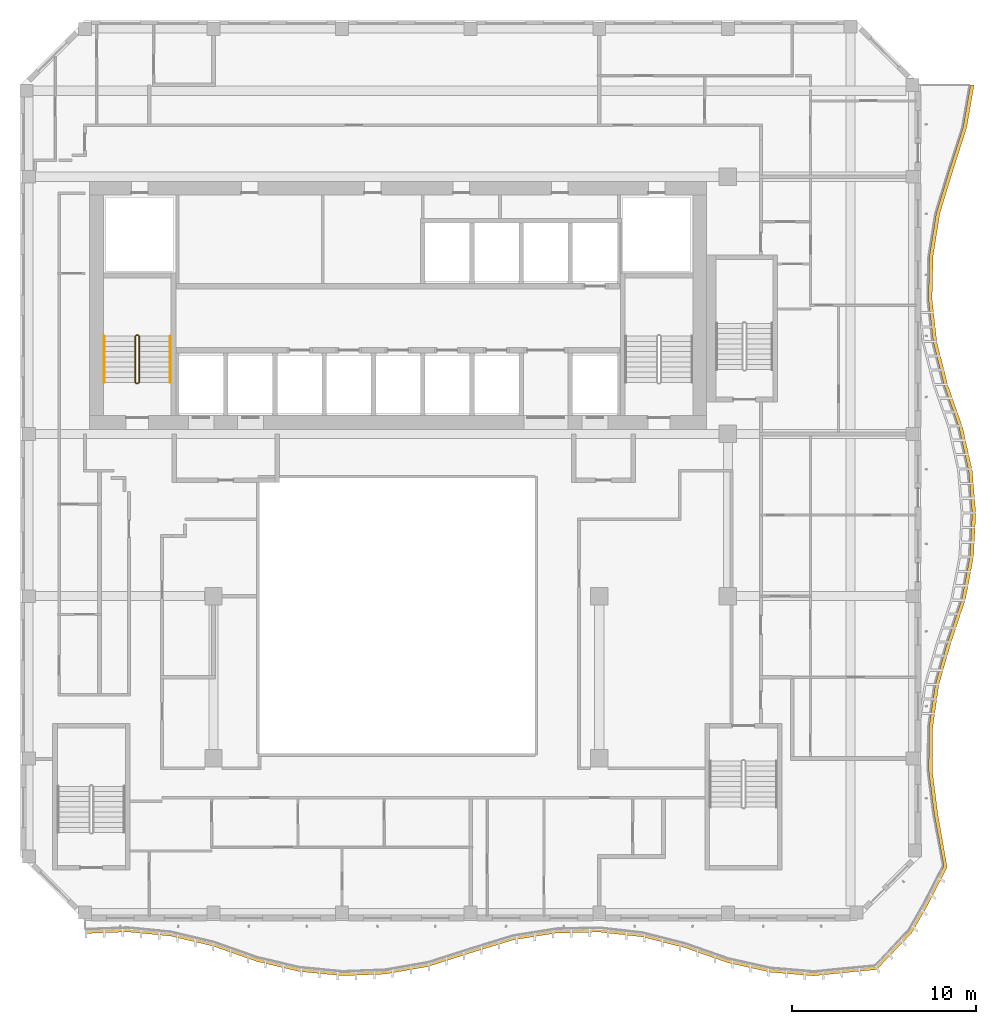
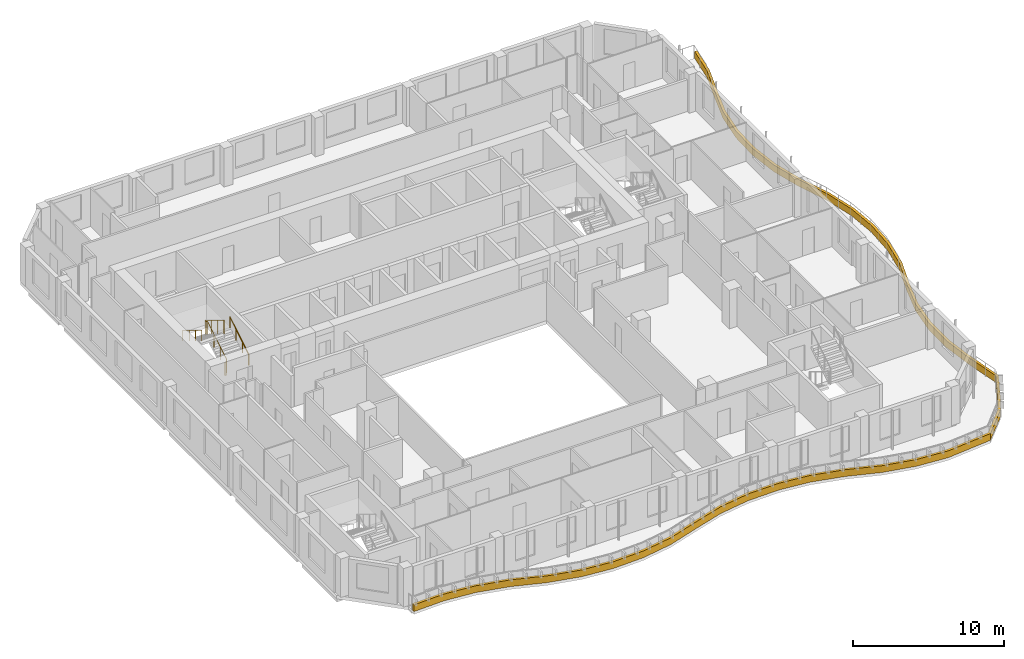
# One storey, part 16 of 20: 3 railings, 1 shading device.
"""IFC4 building model written with IfcOpenShell, lengths in metres."""

from ifc_helpers import new_model, si_unit, direction, frame, origin, origin_2d, place, context, subcontext, project, spatial, polyline, circle, outline, extrude, source, transform, mapped, material, layer, layer_set, type_object, element, save


model = new_model("IFC4")

# Units and contexts
model_context = context("Model", 3, precision=1e-05, world=origin(), true_north=direction((0.0, 1.0)))
body_context = subcontext(model_context, "Body", "Model", "MODEL_VIEW")
ifc_project = project(units=[si_unit("LENGTHUNIT", "METRE"), si_unit("AREAUNIT", "SQUARE_METRE"), si_unit("VOLUMEUNIT", "CUBIC_METRE"), si_unit("PLANEANGLEUNIT", "RADIAN"), si_unit("MASSUNIT", "GRAM", prefix="KILO")], contexts=[model_context])

# Site, building, storey
site_placement = place(None, origin())
site = spatial("IfcSite", under=ifc_project, at=site_placement, CompositionType="ELEMENT")
building_placement = place(site_placement, origin())
building = spatial("IfcBuilding", under=site, at=building_placement, Name="Kilnfold Tower and Market Hall", CompositionType="ELEMENT")
storey_placement = place(building_placement, frame((0.0, 0.0, 239.0)))
storey = spatial("IfcBuildingStorey", under=building, at=storey_placement, Name="L57", CompositionType="ELEMENT", Elevation=239.0)

# Railings
ifc_material_1 = material(Name="Stainless steel 316", Category="steel")
railing_type_1 = type_object("IfcRailingType", Name="CORE STAIR GUARD 1100", PredefinedType="GUARDRAIL", material=ifc_material_1)
railing_1_placement = place(storey_placement, frame((-13.199951171875, 10.75, 0.0)))
element("IfcRailing", 1, at=railing_1_placement, inside=storey, type_object=railing_type_1, Name="L57 ST1 stair guard 1", PredefinedType="GUARDRAIL", context=body_context, shape_type="SweptSolid", body=[
    extrude(circle(Radius=0.02392578125, at=origin_2d()), frame((0.0, 0.0, 1.076171875), z_axis=(1.0, 0.0, 0.0), x_axis=(0.0, 1.0, 0.0)), (0.0, 0.0, 1.0), 0.099853515625),
    extrude(circle(Radius=0.02392578125, at=origin_2d()), frame((0.099853515625, 0.0, 1.076171875), z_axis=(0.271895245746, 0.271895245746, 0.923117517265), x_axis=(-0.707106781187, 0.707106781187, 0.0)), (0.0, 0.0, 1.0), 0.18408203125),
    extrude(circle(Radius=0.02392578125, at=origin_2d()), frame((0.14990234375, 0.050048828125, 1.24609375), z_axis=(0.0, 0.85478489116, 0.518982456201), x_axis=(-1.0, 0.0, 0.0)), (0.0, 0.0, 1.0), 2.9482421875),
    extrude(circle(Radius=0.02392578125, at=origin_2d()), frame((0.14990234375, 2.570068359375, 2.77587890625), z_axis=(-0.707106781187, 0.707106781187, 0.0), x_axis=(-0.707106781187, -0.707106781187, 0.0)), (0.0, 0.0, 1.0), 0.07080078125),
    extrude(circle(Radius=0.02392578125, at=origin_2d()), frame((0.099853515625, 2.6201171875, 2.77587890625), z_axis=(-1.0, 0.0, 0.0), x_axis=(0.0, -1.0, 0.0)), (0.0, 0.0, 1.0), 0.099853515625),
    extrude(circle(Radius=0.02392578125, at=origin_2d()), frame((0.0, 2.6201171875, 2.77587890625), z_axis=(-0.271562723297, -0.271562723297, 0.923313259209), x_axis=(0.707106781187, -0.707106781187, 0.0)), (0.0, 0.0, 1.0), 0.184326171875),
    extrude(circle(Radius=0.02392578125, at=origin_2d()), frame((-0.050048828125, 2.570068359375, 2.9462890625), z_axis=(0.0, -0.854821627497, 0.518921945155), x_axis=(1.0, 0.0, 0.0)), (0.0, 0.0, 1.0), 2.947998046875),
    extrude(circle(Radius=0.02099609375, at=origin_2d()), origin(), (0.0, 0.0, 1.0), 1.052001953125),
    extrude(circle(Radius=0.02099609375, at=origin_2d()), frame((0.099853515625, 0.0, 0.0)), (0.0, 0.0, 1.0), 1.052001953125),
    extrude(circle(Radius=0.02099609375, at=origin_2d()), frame((0.14990234375, 0.050048828125, 0.169921875)), (0.0, 0.0, 1.0), 1.052001953125),
    extrude(circle(Radius=0.02099609375, at=origin_2d()), frame((0.14990234375, 0.89013671875, 0.679931640625)), (0.0, 0.0, 1.0), 1.052001953125),
    extrude(circle(Radius=0.02099609375, at=origin_2d()), frame((0.14990234375, 1.72998046875, 1.18994140625)), (0.0, 0.0, 1.0), 1.052001953125),
    extrude(circle(Radius=0.02099609375, at=origin_2d()), frame((0.14990234375, 2.570068359375, 1.699951171875)), (0.0, 0.0, 1.0), 1.052001953125),
    extrude(circle(Radius=0.02099609375, at=origin_2d()), frame((0.099853515625, 2.6201171875, 1.699951171875)), (0.0, 0.0, 1.0), 1.052001953125),
    extrude(circle(Radius=0.02099609375, at=origin_2d()), frame((0.0, 2.6201171875, 1.699951171875)), (0.0, 0.0, 1.0), 1.052001953125),
    extrude(circle(Radius=0.02099609375, at=origin_2d()), frame((-0.050048828125, 2.570068359375, 1.8701171875)), (0.0, 0.0, 1.0), 1.052001953125),
    extrude(circle(Radius=0.02099609375, at=origin_2d()), frame((-0.050048828125, 1.72998046875, 2.380126953125)), (0.0, 0.0, 1.0), 1.052001953125),
    extrude(circle(Radius=0.02099609375, at=origin_2d()), frame((-0.050048828125, 0.89013671875, 2.889892578125)), (0.0, 0.0, 1.0), 1.052001953125),
    extrude(circle(Radius=0.02099609375, at=origin_2d()), frame((-0.050048828125, 0.050048828125, 3.39990234375)), (0.0, 0.0, 1.0), 1.052001953125),
])
ifc_material_2 = material(Name="Stainless steel 316", Category="steel")
railing_type_2 = type_object("IfcRailingType", Name="CORE STAIR HANDRAIL 900", PredefinedType="HANDRAIL", material=ifc_material_2)
railing_2_placement = place(storey_placement, frame((-11.35009765625, 10.800048828125, 0.169921875)))
element("IfcRailing", 2, at=railing_2_placement, inside=storey, type_object=railing_type_2, Name="L57 ST1 stair handrail 1", PredefinedType="HANDRAIL", context=body_context, shape_type="SweptSolid", body=[
    extrude(circle(Radius=0.02392578125, at=origin_2d()), frame((0.0, 0.0, 0.8759765625), z_axis=(0.0, 0.85478489116, 0.518982456201), x_axis=(-1.0, 0.0, 0.0)), (0.0, 0.0, 1.0), 2.9482421875),
    extrude(circle(Radius=0.02099609375, at=origin_2d()), origin(), (0.0, 0.0, 1.0), 0.851806640625),
    extrude(circle(Radius=0.02099609375, at=origin_2d()), frame((0.0, 0.840087890625, 0.510009765625)), (0.0, 0.0, 1.0), 0.851806640625),
    extrude(circle(Radius=0.02099609375, at=origin_2d()), frame((0.0, 1.679931640625, 1.02001953125)), (0.0, 0.0, 1.0), 0.851806640625),
    extrude(circle(Radius=0.02099609375, at=origin_2d()), frame((0.0, 2.52001953125, 1.530029296875)), (0.0, 0.0, 1.0), 0.851806640625),
])
railing_3_placement = place(storey_placement, frame((-14.949951171875, 13.320068359375, 1.8701171875)))
element("IfcRailing", 3, at=railing_3_placement, inside=storey, type_object=railing_type_2, Name="L57 ST1 stair handrail 2", PredefinedType="HANDRAIL", context=body_context, shape_type="SweptSolid", body=[
    extrude(circle(Radius=0.02392578125, at=origin_2d()), frame((0.0, 0.0, 0.8759765625), z_axis=(0.0, -0.854821627497, 0.518921945155), x_axis=(1.0, 0.0, 0.0)), (0.0, 0.0, 1.0), 2.947998046875),
    extrude(circle(Radius=0.02099609375, at=origin_2d()), origin(), (0.0, 0.0, 1.0), 0.851806640625),
    extrude(circle(Radius=0.02099609375, at=origin_2d()), frame((0.0, -0.840087890625, 0.510009765625)), (0.0, 0.0, 1.0), 0.851806640625),
    extrude(circle(Radius=0.02099609375, at=origin_2d()), frame((0.0, -1.679931640625, 1.019775390625)), (0.0, 0.0, 1.0), 0.851806640625),
    extrude(circle(Radius=0.02099609375, at=origin_2d()), frame((0.0, -2.52001953125, 1.52978515625)), (0.0, 0.0, 1.0), 0.851806640625),
])

# Shading device
ifc_material_3 = material(Name="Precast concrete C50/60", Category="concrete")
ifc_layer = layer(ifc_material_3, 0.550048828125)
ifc_layer_set = layer_set([ifc_layer], Name="Precast concrete C50/60")
shading_device_type = type_object("IfcShadingDeviceType", Name="BALCONY UPSTAND 550", PredefinedType="USERDEFINED", material=ifc_layer_set)
shared_shape = source(origin(), body_context, "Body", "SweptSolid", [
    extrude(outline(polyline([(-16.0, -19.19482421875), (-13.666748046875, -19.107666015625), (-11.333251953125, -19.3349609375), (-9.0, -19.889404296875), (-6.666748046875, -20.709228515625), (-4.333251953125, -21.264404296875), (-2.0, -21.4921875), (0.333251953125, -21.405517578125), (2.666748046875, -21.0), (5.0, -20.251953125), (7.333251953125, -19.541259765625), (9.666748046875, -19.170166015625), (12.0, -19.116943359375), (14.333251953125, -19.378662109375), (16.666748046875, -19.97021484375), (19.0, -20.785888671875), (21.333251953125, -21.304443359375), (23.666748046875, -21.497802734375), (27.10107421875, -21.158203125), (29.0048828125, -19.17138671875), (29.856201171875, -17.689697265625), (30.9384765625, -15.595703125), (30.42724609375, -12.666748046875), (30.13037109375, -10.333251953125), (30.14892578125, -8.0), (30.484375, -5.666748046875), (31.156005859375, -3.333251953125), (31.934814453125, -1.0), (32.376708984375, 1.333251953125), (32.498046875, 3.666748046875), (32.304931640625, 6.0), (31.787109375, 8.333251953125), (30.9716796875, 10.666748046875), (30.37939453125, 13.0), (30.1171875, 15.333251953125), (30.169921875, 17.666748046875), (30.540283203125, 20.0), (31.250244140625, 22.333251953125), (31.998779296875, 24.666748046875), (32.4052734375, 27.0), (32.205078125, 27.0), (31.798828125, 24.666748046875), (31.05029296875, 22.333251953125), (30.34033203125, 20.0), (29.969970703125, 17.666748046875), (29.917236328125, 15.333251953125), (30.179443359375, 13.0), (30.771728515625, 10.666748046875), (31.587158203125, 8.333251953125), (32.10498046875, 6.0), (32.298095703125, 3.666748046875), (32.1767578125, 1.333251953125), (31.73486328125, -1.0), (30.955810546875, -3.333251953125), (30.284423828125, -5.666748046875), (29.948974609375, -8.0), (29.930419921875, -10.333251953125), (30.227294921875, -12.666748046875), (30.753662109375, -15.519287109375), (29.71484375, -17.54833984375), (28.863525390625, -19.030029296875), (27.024658203125, -20.973388671875), (23.666748046875, -21.2978515625), (21.333251953125, -21.1044921875), (19.0, -20.5859375), (16.666748046875, -19.770263671875), (14.333251953125, -19.1787109375), (12.0, -18.9169921875), (9.666748046875, -18.97021484375), (7.333251953125, -19.34130859375), (5.0, -20.052001953125), (2.666748046875, -20.7998046875), (0.333251953125, -21.20556640625), (-2.0, -21.292236328125), (-4.333251953125, -21.064208984375), (-6.666748046875, -20.50927734375), (-9.0, -19.689453125), (-11.333251953125, -19.135009765625), (-13.666748046875, -18.90771484375), (-16.0, -18.994873046875), (-16.0, -19.19482421875)])), origin(), (0.0, 0.0, 1.0), 0.550048828125),
])
shading_device_placement = place(storey_placement, origin())
element("IfcShadingDevice", 4, at=shading_device_placement, inside=storey, type_object=shading_device_type, Name="Balcony fascia L57", ObjectType="FASCIA", PredefinedType="USERDEFINED", context=body_context, shape_type="MappedRepresentation", body=[
    mapped(shared_shape, transform((0.0, 0.0, 0.0))),
])

save(model, "model.ifc")
